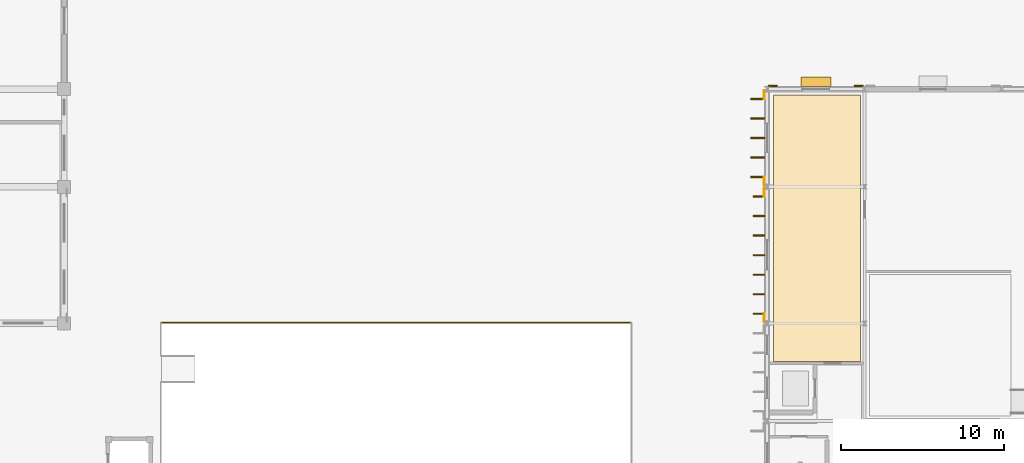
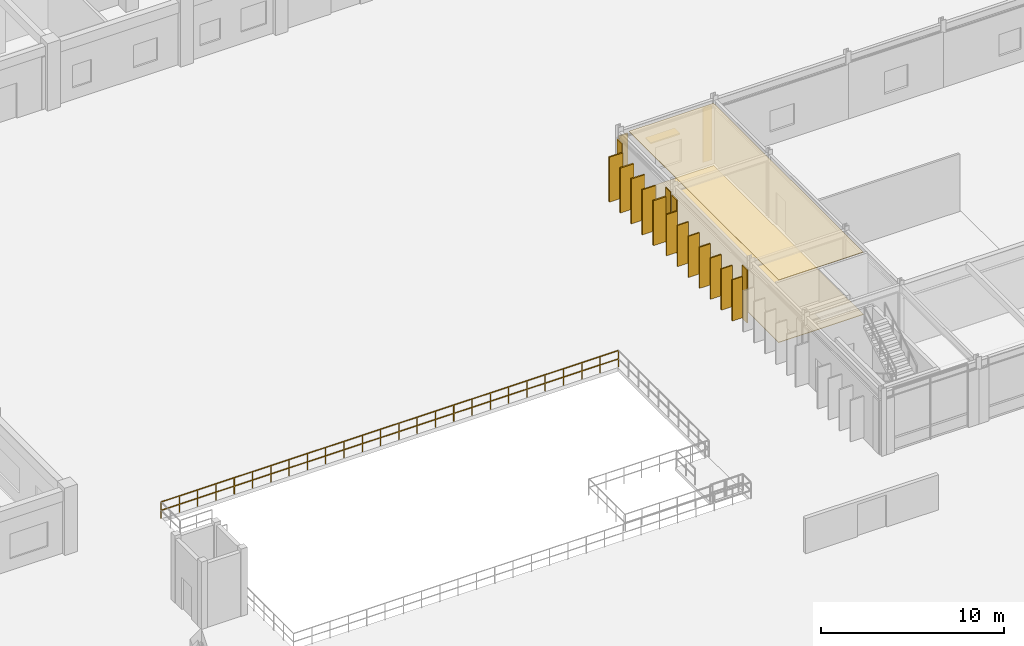
# One storey, part 59 of 67: 13 shading devices, 8 coverings, 1 railing.
"""IFC4 building model written with IfcOpenShell, lengths in metres."""

from ifc_helpers import new_model, si_unit, direction, frame, origin, origin_2d, place, context, subcontext, project, spatial, polyline, rectangle, outline, extrude, material, layer, layer_set, type_object, element, save


model = new_model("IFC4")

# Units and contexts
model_context = context("Model", 3, precision=1e-05, world=origin(), true_north=direction((0.0, 1.0)))
body_context = subcontext(model_context, "Body", "Model", "MODEL_VIEW")
ifc_project = project(units=[si_unit("LENGTHUNIT", "METRE"), si_unit("AREAUNIT", "SQUARE_METRE"), si_unit("VOLUMEUNIT", "CUBIC_METRE"), si_unit("PLANEANGLEUNIT", "RADIAN"), si_unit("MASSUNIT", "GRAM", prefix="KILO"), si_unit("THERMODYNAMICTEMPERATUREUNIT", "KELVIN")], contexts=[model_context])

# Site, building, storey
site_placement = place(None, origin())
site = spatial("IfcSite", under=ifc_project, at=site_placement, CompositionType="ELEMENT")
building_placement = place(site_placement, origin())
building = spatial("IfcBuilding", under=site, at=building_placement, Name="Thalorik Housing Commons", CompositionType="ELEMENT")
storey_placement = place(building_placement, origin())
storey = spatial("IfcBuildingStorey", under=building, at=storey_placement, Name="L00", CompositionType="ELEMENT", Elevation=0.0)

# Coverings
ifc_material_1 = material(Name="Cobalt blue glazed ceramic facade tile panel", Category="masonry")
ifc_layer_1 = layer(ifc_material_1, 0.06005859375, Name="Cobalt blue glazed ceramic facade tile panel", Category="masonry")
ifc_layer_set_1 = layer_set([ifc_layer_1], Name="Cobalt blue glazed ceramic facade tile panel")
covering_type_1 = type_object("IfcCoveringType", Name="ARC-CLD-BLU-60", PredefinedType="CLADDING", material=ifc_layer_set_1)
for number, where, z_axis, x_axis, name in (
    (1, (65.818115234375, 80.050048828125, 0.0498046875), (0.0, 0.0, 1.0), (0.0, -1.0, 0.0), "L00 Architectural Facade Cladding 5158"),
    (2, (65.818115234375, 72.35009765625, 0.0498046875), (0.0, 0.0, 1.0), (0.0, -1.0, 0.0), "L00 Architectural Facade Cladding 5159"),
):
    element("IfcCovering", number, at=place(storey_placement, frame(where, z_axis=z_axis, x_axis=x_axis)), inside=storey, type_object=covering_type_1, Name=name, PredefinedType="CLADDING", context=body_context, shape_type="SweptSolid", body=[
        extrude(rectangle(XDim=0.550048828125, YDim=0.06005859375, at=origin_2d()), origin(), (0.0, 0.0, 1.0), 3.550048828125),
    ])
ifc_material_2 = material(Name="Precast concrete C40/50", Category="concrete")
ifc_layer_2 = layer(ifc_material_2, 0.090087890625, Name="Precast concrete C40/50", Category="concrete")
ifc_layer_set_2 = layer_set([ifc_layer_2], Name="Precast concrete C40/50")
covering_type_2 = type_object("IfcCoveringType", Name="ARC-CLD-PIER-90", PredefinedType="CLADDING", material=ifc_layer_set_2)
for number, where, z_axis, x_axis, name in (
    (3, (71.64990234375, 86.596923828125, 0.050048828125), (0.0, 0.0, 1.0), (-1.0, 0.0, 0.0), "L00 Architectural Facade Cladding 5154"),
    (4, (66.35009765625, 86.596923828125, 0.050048828125), (0.0, 0.0, 1.0), (-1.0, 0.0, 0.0), "L00 Architectural Facade Cladding 5155"),
):
    element("IfcCovering", number, at=place(storey_placement, frame(where, z_axis=z_axis, x_axis=x_axis)), inside=storey, type_object=covering_type_2, Name=name, PredefinedType="CLADDING", context=body_context, shape_type="SweptSolid", body=[
        extrude(rectangle(XDim=0.550048828125, YDim=0.090087890625, at=origin_2d()), origin(), (0.0, 0.0, 1.0), 3.6220703125),
    ])
ifc_material_3 = material(Name="Terracotta red mineral fibre-cement panel", Category="masonry")
ifc_layer_3 = layer(ifc_material_3, 0.054931640625, Name="Terracotta red mineral fibre-cement panel", Category="masonry")
ifc_layer_set_3 = layer_set([ifc_layer_3], Name="Terracotta red mineral fibre-cement panel")
covering_type_3 = type_object("IfcCoveringType", Name="ARC-CLD-RED-55", PredefinedType="CLADDING", material=ifc_layer_set_3)
for number, where, z_axis, x_axis, name in (
    (5, (65.820556640625, 86.050048828125, 0.0498046875), (0.0, 0.0, 1.0), (0.0, -1.0, 0.0), "L00 Architectural Facade Cladding 5156"),
    (6, (65.820556640625, 80.75, 0.0498046875), (0.0, 0.0, 1.0), (0.0, -1.0, 0.0), "L00 Architectural Facade Cladding 5157"),
):
    element("IfcCovering", number, at=place(storey_placement, frame(where, z_axis=z_axis, x_axis=x_axis)), inside=storey, type_object=covering_type_3, Name=name, PredefinedType="CLADDING", context=body_context, shape_type="SweptSolid", body=[
        extrude(rectangle(XDim=0.550048828125, YDim=0.054931640625, at=origin_2d()), origin(), (0.0, 0.0, 1.0), 3.672119140625),
    ])
ifc_material_4 = material(Name="Acoustic wood-wool nursery ceiling panel", Category="wood")
ifc_layer_4 = layer(ifc_material_4, 0.035888671875, Name="Acoustic wood-wool nursery ceiling panel", Category="wood")
ifc_layer_set_4 = layer_set([ifc_layer_4], Name="Acoustic wood-wool nursery ceiling panel")
covering_type_4 = type_object("IfcCoveringType", Name="ARC-COV-CEIL-06", PredefinedType="CEILING", material=ifc_layer_set_4)
covering_1_placement = place(storey_placement, frame((0.0, 0.0, 4.1640625)))
element("IfcCovering", 7, at=covering_1_placement, inside=storey, type_object=covering_type_4, Name="L00 Hall West Lift Lobby Suspended Ceiling", PredefinedType="CEILING", context=body_context, shape_type="SweptSolid", body=[
    extrude(outline(polyline([(71.75, 69.64990234375), (71.75, 86.050048828125), (66.39990234375, 86.050048828125), (66.39990234375, 69.64990234375), (71.75, 69.64990234375)])), origin(), (0.0, 0.0, 1.0), 0.035888671875),
])
ifc_material_5 = material(Name="Epoxy-sealed concrete plant and bicycle hub finish", Category="concrete")
ifc_layer_5 = layer(ifc_material_5, 0.031982421875, Name="Epoxy-sealed concrete plant and bicycle hub finish", Category="concrete")
ifc_layer_set_5 = layer_set([ifc_layer_5], Name="Epoxy-sealed concrete plant and bicycle hub finish")
covering_type_5 = type_object("IfcCoveringType", Name="ARC-COV-FLR-06", PredefinedType="FLOORING", material=ifc_layer_set_5)
covering_2_placement = place(storey_placement, origin())
element("IfcCovering", 8, at=covering_2_placement, inside=storey, type_object=covering_type_5, Name="L00 Hall West Lift Lobby Flooring", PredefinedType="FLOORING", context=body_context, shape_type="SweptSolid", body=[
    extrude(outline(polyline([(71.75, 69.64990234375), (71.75, 86.050048828125), (66.39990234375, 86.050048828125), (66.39990234375, 69.64990234375), (71.75, 69.64990234375)])), origin(), (0.0, 0.0, 1.0), 0.031982421875),
])

# Shading devices
shading_device_type_1 = type_object("IfcShadingDeviceType", Name="ARC-FIN-PC-850B", PredefinedType="USERDEFINED", material=ifc_material_2)
for number, where, z_axis, x_axis, name in (
    (9, (65.425048828125, 85.800048828125, 0.1201171875), (0.0, 0.0, 1.0), (0.0, -1.0, 0.0), "L00 Vertical Precast Solar Fin 30"),
    (10, (65.425048828125, 84.60009765625, 0.1201171875), (0.0, 0.0, 1.0), (0.0, -1.0, 0.0), "L00 Vertical Precast Solar Fin 31"),
    (11, (65.425048828125, 83.39990234375, 0.1201171875), (0.0, 0.0, 1.0), (0.0, -1.0, 0.0), "L00 Vertical Precast Solar Fin 32"),
    (12, (65.425048828125, 82.199951171875, 0.1201171875), (0.0, 0.0, 1.0), (0.0, -1.0, 0.0), "L00 Vertical Precast Solar Fin 33"),
    (13, (65.425048828125, 81.0, 0.1201171875), (0.0, 0.0, 1.0), (0.0, -1.0, 0.0), "L00 Vertical Precast Solar Fin 34"),
):
    element("IfcShadingDevice", number, at=place(storey_placement, frame(where, z_axis=z_axis, x_axis=x_axis)), inside=storey, type_object=shading_device_type_1, Name=name, ObjectType="FIN", PredefinedType="USERDEFINED", context=body_context, shape_type="SweptSolid", body=[
        extrude(rectangle(XDim=0.090087890625, YDim=0.85009765625, at=origin_2d()), origin(), (0.0, 0.0, 1.0), 3.0),
    ])
ifc_material_6 = material(Name="Oxide red precast concrete C40/50", Category="concrete")
shading_device_type_2 = type_object("IfcShadingDeviceType", Name="ARC-FIN-RED-700", PredefinedType="USERDEFINED", material=ifc_material_6)
for number, where, z_axis, x_axis, name in (
    (14, (65.5, 79.800048828125, 0.1201171875), (0.0, 0.0, 1.0), (0.0, -1.0, 0.0), "L00 Vertical Precast Solar Fin 35"),
    (15, (65.5, 78.60009765625, 0.1201171875), (0.0, 0.0, 1.0), (0.0, -1.0, 0.0), "L00 Vertical Precast Solar Fin 36"),
    (16, (65.5, 77.39990234375, 0.1201171875), (0.0, 0.0, 1.0), (0.0, -1.0, 0.0), "L00 Vertical Precast Solar Fin 37"),
    (17, (65.5, 76.199951171875, 0.1201171875), (0.0, 0.0, 1.0), (0.0, -1.0, 0.0), "L00 Vertical Precast Solar Fin 38"),
    (18, (65.5, 75.0, 0.1201171875), (0.0, 0.0, 1.0), (0.0, -1.0, 0.0), "L00 Vertical Precast Solar Fin 39"),
    (19, (65.5, 73.800048828125, 0.1201171875), (0.0, 0.0, 1.0), (0.0, -1.0, 0.0), "L00 Vertical Precast Solar Fin 40"),
    (20, (65.5, 72.60009765625, 0.1201171875), (0.0, 0.0, 1.0), (0.0, -1.0, 0.0), "L00 Vertical Precast Solar Fin 41"),
):
    element("IfcShadingDevice", number, at=place(storey_placement, frame(where, z_axis=z_axis, x_axis=x_axis)), inside=storey, type_object=shading_device_type_2, Name=name, ObjectType="FIN", PredefinedType="USERDEFINED", context=body_context, shape_type="SweptSolid", body=[
        extrude(rectangle(XDim=0.074951171875, YDim=0.699951171875, at=origin_2d()), origin(), (0.0, 0.0, 1.0), 2.75),
    ])
ifc_material_7 = material(Name="Anodised aluminium sun-louvre blade", Category="aluminium")
shading_device_type_3 = type_object("IfcShadingDeviceType", Name="ARC-LVR-ALU-600", PredefinedType="JALOUSIE", material=ifc_material_7)
shading_device_placement = place(storey_placement, frame((69.0, 86.85009765625, 2.43994140625), z_axis=(0.0, 0.0, 1.0), x_axis=(-1.0, 0.0, 0.0)))
element("IfcShadingDevice", 21, at=shading_device_placement, inside=storey, type_object=shading_device_type_3, Name="L00 Horizontal Sun-Louvre 29", PredefinedType="JALOUSIE", context=body_context, shape_type="SweptSolid", body=[
    extrude(rectangle(XDim=1.85009765625, YDim=0.60009765625, at=origin_2d()), origin(), (0.0, 0.0, 1.0), 0.080078125),
])

# Railing
ifc_material_8 = material(Name="Steel S355", Category="steel")
railing_type = type_object("IfcRailingType", Name="ARC-RL-VOID-112", PredefinedType="GUARDRAIL", material=ifc_material_8)
railing_placement = place(storey_placement, frame((28.75, 72.050048828125, 0.0)))
element("IfcRailing", 22, at=railing_placement, inside=storey, type_object=railing_type, Name="L00 Sunken Metro Forecourt Guardrail N", PredefinedType="GUARDRAIL", context=body_context, shape_type="SweptSolid", body=[
    extrude(rectangle(XDim=0.048095703125, YDim=0.048095703125, at=origin_2d()), frame((0.0, 0.0, 1.09619140625), z_axis=(1.0, 0.0, 0.0), x_axis=(0.0, 1.0, 0.0)), (0.0, 0.0, 1.0), 28.89990234375),
    extrude(rectangle(XDim=0.048095703125, YDim=0.048095703125, at=origin_2d()), frame((0.0, 0.0, 0.5361328125), z_axis=(1.0, 0.0, 0.0), x_axis=(0.0, 1.0, 0.0)), (0.0, 0.0, 1.0), 28.89990234375),
    extrude(rectangle(XDim=0.0419921875, YDim=0.0419921875, at=origin_2d()), origin(), (0.0, 0.0, 1.0), 1.072021484375),
    extrude(rectangle(XDim=0.0419921875, YDim=0.0419921875, at=origin_2d()), frame((1.156005859375, 0.0, 0.0)), (0.0, 0.0, 1.0), 1.072021484375),
    extrude(rectangle(XDim=0.0419921875, YDim=0.0419921875, at=origin_2d()), frame((2.31201171875, 0.0, 0.0)), (0.0, 0.0, 1.0), 1.072021484375),
    extrude(rectangle(XDim=0.0419921875, YDim=0.0419921875, at=origin_2d()), frame((3.468017578125, 0.0, 0.0)), (0.0, 0.0, 1.0), 1.072021484375),
    extrude(rectangle(XDim=0.0419921875, YDim=0.0419921875, at=origin_2d()), frame((4.6240234375, 0.0, 0.0)), (0.0, 0.0, 1.0), 1.072021484375),
    extrude(rectangle(XDim=0.0419921875, YDim=0.0419921875, at=origin_2d()), frame((5.780029296875, 0.0, 0.0)), (0.0, 0.0, 1.0), 1.072021484375),
    extrude(rectangle(XDim=0.0419921875, YDim=0.0419921875, at=origin_2d()), frame((6.93603515625, 0.0, 0.0)), (0.0, 0.0, 1.0), 1.072021484375),
    extrude(rectangle(XDim=0.0419921875, YDim=0.0419921875, at=origin_2d()), frame((8.092041015625, 0.0, 0.0)), (0.0, 0.0, 1.0), 1.072021484375),
    extrude(rectangle(XDim=0.0419921875, YDim=0.0419921875, at=origin_2d()), frame((9.248046875, 0.0, 0.0)), (0.0, 0.0, 1.0), 1.072021484375),
    extrude(rectangle(XDim=0.0419921875, YDim=0.0419921875, at=origin_2d()), frame((10.404052734375, 0.0, 0.0)), (0.0, 0.0, 1.0), 1.072021484375),
    extrude(rectangle(XDim=0.0419921875, YDim=0.0419921875, at=origin_2d()), frame((11.56005859375, 0.0, 0.0)), (0.0, 0.0, 1.0), 1.072021484375),
    extrude(rectangle(XDim=0.0419921875, YDim=0.0419921875, at=origin_2d()), frame((12.716064453125, 0.0, 0.0)), (0.0, 0.0, 1.0), 1.072021484375),
    extrude(rectangle(XDim=0.0419921875, YDim=0.0419921875, at=origin_2d()), frame((13.8720703125, 0.0, 0.0)), (0.0, 0.0, 1.0), 1.072021484375),
    extrude(rectangle(XDim=0.0419921875, YDim=0.0419921875, at=origin_2d()), frame((15.02783203125, 0.0, 0.0)), (0.0, 0.0, 1.0), 1.072021484375),
    extrude(rectangle(XDim=0.0419921875, YDim=0.0419921875, at=origin_2d()), frame((16.183837890625, 0.0, 0.0)), (0.0, 0.0, 1.0), 1.072021484375),
    extrude(rectangle(XDim=0.0419921875, YDim=0.0419921875, at=origin_2d()), frame((17.33984375, 0.0, 0.0)), (0.0, 0.0, 1.0), 1.072021484375),
    extrude(rectangle(XDim=0.0419921875, YDim=0.0419921875, at=origin_2d()), frame((18.495849609375, 0.0, 0.0)), (0.0, 0.0, 1.0), 1.072021484375),
    extrude(rectangle(XDim=0.0419921875, YDim=0.0419921875, at=origin_2d()), frame((19.65185546875, 0.0, 0.0)), (0.0, 0.0, 1.0), 1.072021484375),
    extrude(rectangle(XDim=0.0419921875, YDim=0.0419921875, at=origin_2d()), frame((20.807861328125, 0.0, 0.0)), (0.0, 0.0, 1.0), 1.072021484375),
    extrude(rectangle(XDim=0.0419921875, YDim=0.0419921875, at=origin_2d()), frame((21.9638671875, 0.0, 0.0)), (0.0, 0.0, 1.0), 1.072021484375),
    extrude(rectangle(XDim=0.0419921875, YDim=0.0419921875, at=origin_2d()), frame((23.119873046875, 0.0, 0.0)), (0.0, 0.0, 1.0), 1.072021484375),
    extrude(rectangle(XDim=0.0419921875, YDim=0.0419921875, at=origin_2d()), frame((24.27587890625, 0.0, 0.0)), (0.0, 0.0, 1.0), 1.072021484375),
    extrude(rectangle(XDim=0.0419921875, YDim=0.0419921875, at=origin_2d()), frame((25.431884765625, 0.0, 0.0)), (0.0, 0.0, 1.0), 1.072021484375),
    extrude(rectangle(XDim=0.0419921875, YDim=0.0419921875, at=origin_2d()), frame((26.587890625, 0.0, 0.0)), (0.0, 0.0, 1.0), 1.072021484375),
    extrude(rectangle(XDim=0.0419921875, YDim=0.0419921875, at=origin_2d()), frame((27.743896484375, 0.0, 0.0)), (0.0, 0.0, 1.0), 1.072021484375),
    extrude(rectangle(XDim=0.0419921875, YDim=0.0419921875, at=origin_2d()), frame((28.89990234375, 0.0, 0.0)), (0.0, 0.0, 1.0), 1.072021484375),
])

save(model, "model.ifc")
